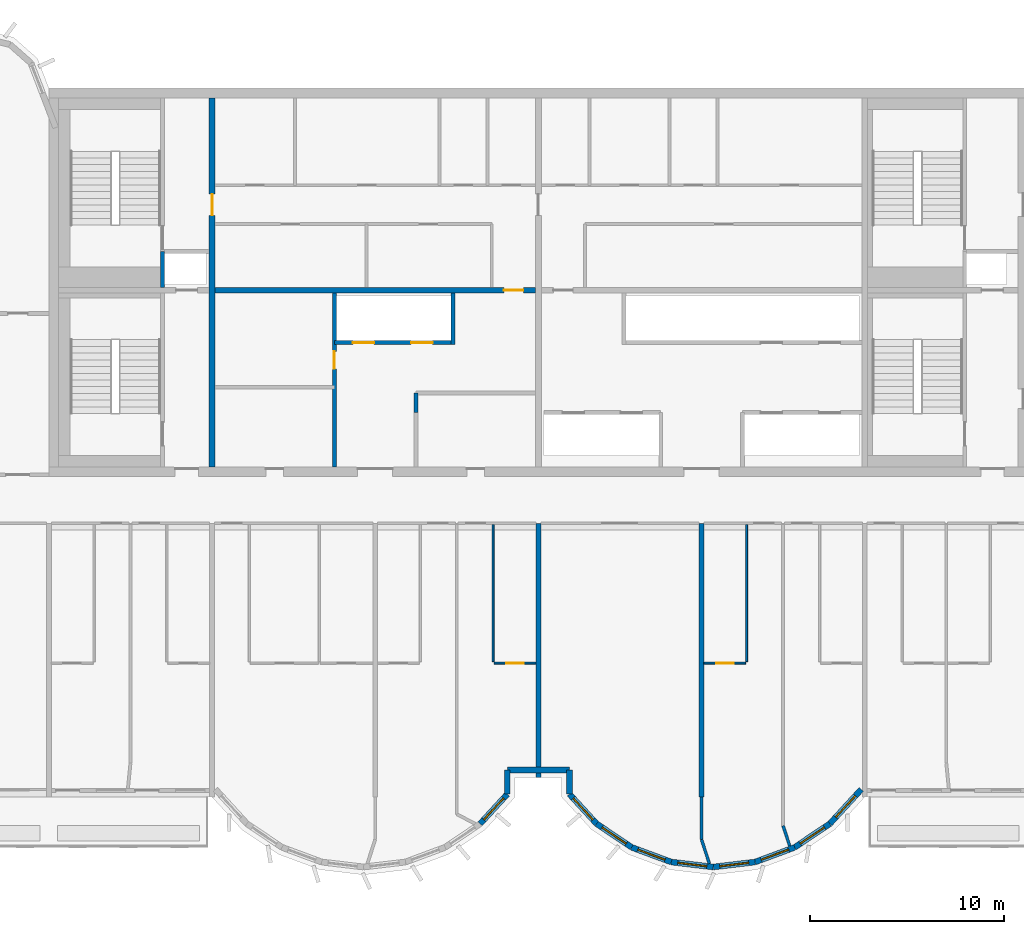
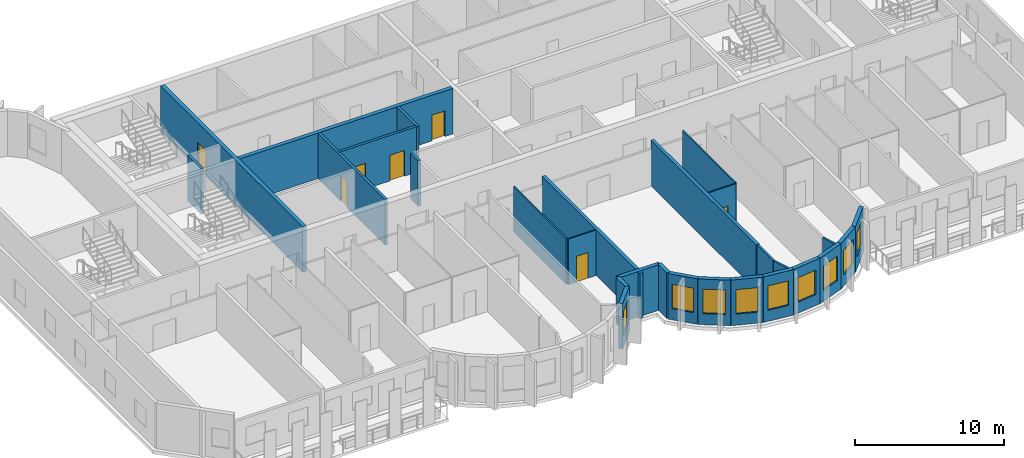
# One storey, part 4 of 11: 28 walls, 9 windows, 7 doors, 16 openings.
"""IFC4 building model written with IfcOpenShell, lengths in metres."""

from ifc_helpers import new_model, si_unit, direction, frame, frame_2d, origin, place, context, subcontext, project, spatial, rectangle, extrude, source, transform, mapped, material, layer, layer_set, type_object, element, fill, save


model = new_model("IFC4")

# Units and contexts
model_context = context("Model", 3, precision=1e-05, world=origin(), true_north=direction((0.0, 1.0)))
body_context = subcontext(model_context, "Body", "Model", "MODEL_VIEW")
ifc_project = project(units=[si_unit("LENGTHUNIT", "METRE"), si_unit("AREAUNIT", "SQUARE_METRE"), si_unit("VOLUMEUNIT", "CUBIC_METRE"), si_unit("PLANEANGLEUNIT", "RADIAN"), si_unit("MASSUNIT", "GRAM", prefix="KILO")], contexts=[model_context])

# Site, building, storey
site_placement = place(None, origin())
site = spatial("IfcSite", under=ifc_project, at=site_placement, CompositionType="ELEMENT")
building_placement = place(site_placement, origin())
building = spatial("IfcBuilding", under=site, at=building_placement, Name="Vanashikhar Sky Hotel", CompositionType="ELEMENT")
storey_placement = place(building_placement, frame((0.0, 0.0, 305.699951171875)))
storey = spatial("IfcBuildingStorey", under=building, at=storey_placement, Name="L73", CompositionType="ELEMENT", Elevation=305.699951171875)

# Wall, opening, door
ifc_material_1 = material(Name="Concrete M50", Category="concrete")
ifc_layer_1 = layer(ifc_material_1, 0.300048828125)
ifc_layer_set_1 = layer_set([ifc_layer_1], Name="RC core inner wall 300 Concrete M50")
wall_type_1 = type_object("IfcWallType", Name="RC core inner wall 300 Concrete M50", PredefinedType="SHEAR", material=ifc_layer_set_1)
shared_shape_1 = source(origin(), body_context, "Body", "SweptSolid", [
    extrude(rectangle(XDim=19.0, YDim=0.300048828125, at=frame_2d((9.5, 0.0))), origin(), (0.0, 0.0, 1.0), 3.719970703125),
])
wall_1_placement = place(storey_placement, frame((33.60009765625, 22.5, 0.0), z_axis=(0.0, 0.0, 1.0), x_axis=(0.0, 1.0, 0.0)))
wall_1 = element("IfcWall", 1, at=wall_1_placement, inside=storey, type_object=wall_type_1, Name="KW-L73-KX1", PredefinedType="SHEAR", context=body_context, shape_type="MappedRepresentation", body=[
    mapped(shared_shape_1, transform((0.0, 0.0, 0.0), scale=1.0)),
])
shared_shape_2 = source(origin(), body_context, "Body", "SweptSolid", [
    extrude(rectangle(XDim=1.10009765625, YDim=2.10009765625, at=frame_2d((0.550048828125, 1.050048828125))), frame((0.0, 0.16015625, 0.0), z_axis=(0.0, -1.0, 0.0), x_axis=(1.0, 0.0, 0.0)), (0.0, 0.0, 1.0), 0.320068359375),
])
opening_1_placement = place(wall_1_placement, frame((12.949951171875, 0.0, 0.0)))
opening_1 = element("IfcOpeningElement", 2, at=opening_1_placement, cuts=wall_1, Name="Opening DC-4-C", PredefinedType="OPENING", context=body_context, shape_type="MappedRepresentation", body=[
    mapped(shared_shape_2, transform((0.0, 0.0, 0.0), scale=1.0)),
])
ifc_material_2 = material(Name="Steel", Category="steel")
door_type_1 = type_object("IfcDoorType", Name="Service door 1100 FD60", OperationType="NOTDEFINED", PredefinedType="DOOR", material=ifc_material_2)
shared_shape_3 = source(origin(), body_context, "Body", "SweptSolid", [
    extrude(rectangle(XDim=1.10009765625, YDim=2.10009765625, at=frame_2d((0.550048828125, 1.050048828125))), frame((0.0, 0.02490234375, 0.0), z_axis=(0.0, -1.0, 0.0), x_axis=(1.0, 0.0, 0.0)), (0.0, 0.0, 1.0), 0.050048828125),
])
door_1_placement = place(opening_1_placement, origin())
door_1 = element("IfcDoor", 3, at=door_1_placement, inside=storey, type_object=door_type_1, Name="Service door 1100 FD60", OperationType="SINGLE_SWING_LEFT", OverallHeight=2.10009765625, OverallWidth=1.10009765625, PredefinedType="DOOR", context=body_context, shape_type="MappedRepresentation", body=[
    mapped(shared_shape_3, transform((0.0, 0.0, 0.0), scale=1.0)),
])
fill(opening_1, door_1)

shared_shape_4 = source(origin(), body_context, "Body", "SweptSolid", [
    extrude(rectangle(XDim=16.5, YDim=0.300048828125, at=frame_2d((8.25, 0.0))), origin(), (0.0, 0.0, 1.0), 3.719970703125),
])
wall_2_placement = place(storey_placement, frame((33.75, 31.60009765625, 0.0), z_axis=(0.0, 0.0, 1.0), x_axis=(1.0, 0.0, 0.0)))
wall_2 = element("IfcWall", 4, at=wall_2_placement, inside=storey, type_object=wall_type_1, Name="KW-L73-KY2", PredefinedType="SHEAR", context=body_context, shape_type="MappedRepresentation", body=[
    mapped(shared_shape_4, transform((0.0, 0.0, 0.0), scale=1.0)),
])
shared_shape_5 = source(origin(), body_context, "Body", "SweptSolid", [
    extrude(rectangle(XDim=1.0, YDim=2.10009765625, at=frame_2d((0.5, 1.050048828125))), frame((0.0, 0.16015625, 0.0), z_axis=(0.0, -1.0, 0.0), x_axis=(1.0, 0.0, 0.0)), (0.0, 0.0, 1.0), 0.320068359375),
])
opening_2_placement = place(wall_2_placement, frame((14.875, 0.0, 0.0)))
opening_2 = element("IfcOpeningElement", 5, at=opening_2_placement, cuts=wall_2, Name="Opening DC-4", PredefinedType="OPENING", context=body_context, shape_type="MappedRepresentation", body=[
    mapped(shared_shape_5, transform((0.0, 0.0, 0.0), scale=1.0)),
])
door_type_2 = type_object("IfcDoorType", Name="Service door 1000 FD60", OperationType="NOTDEFINED", PredefinedType="DOOR", material=ifc_material_2)
shared_shape_6 = source(origin(), body_context, "Body", "SweptSolid", [
    extrude(rectangle(XDim=1.0, YDim=2.10009765625, at=frame_2d((0.5, 1.050048828125))), frame((0.0, 0.02490234375, 0.0), z_axis=(0.0, -1.0, 0.0), x_axis=(1.0, 0.0, 0.0)), (0.0, 0.0, 1.0), 0.050048828125),
])
door_2_placement = place(opening_2_placement, origin())
door_2 = element("IfcDoor", 6, at=door_2_placement, inside=storey, type_object=door_type_2, Name="Service door 1000 FD60", OperationType="SINGLE_SWING_LEFT", OverallHeight=2.10009765625, OverallWidth=1.0, PredefinedType="DOOR", context=body_context, shape_type="MappedRepresentation", body=[
    mapped(shared_shape_6, transform((0.0, 0.0, 0.0), scale=1.0)),
])
fill(opening_2, door_2)

# Walls
ifc_layer_2 = layer(ifc_material_1, 0.25)
ifc_layer_set_2 = layer_set([ifc_layer_2], Name="RC shear wall 250 Concrete M50")
wall_type_2 = type_object("IfcWallType", Name="RC shear wall 250 Concrete M50", PredefinedType="SHEAR", material=ifc_layer_set_2)
shared_shape_7 = source(origin(), body_context, "Body", "SweptSolid", [
    extrude(rectangle(XDim=14.10009765625, YDim=0.25, at=frame_2d((7.050048828125, 0.0))), origin(), (0.0, 0.0, 1.0), 3.719970703125),
])
wall_3_placement = place(storey_placement, frame((58.800048828125, 5.5, 0.0), z_axis=(0.0, 0.0, 1.0), x_axis=(0.0, 1.0, 0.0)))
element("IfcWall", 7, at=wall_3_placement, inside=storey, type_object=wall_type_2, Name="CW-L73-XW08-1", PredefinedType="SHEAR", context=body_context, shape_type="MappedRepresentation", body=[
    mapped(shared_shape_7, transform((0.0, 0.0, 0.0), scale=1.0)),
])
shared_shape_8 = source(origin(), body_context, "Body", "SweptSolid", [
    extrude(rectangle(XDim=13.10009765625, YDim=0.25, at=frame_2d((6.550048828125, 0.0))), origin(), (0.0, 0.0, 1.0), 3.719970703125),
])
wall_4_placement = place(storey_placement, frame((50.39990234375, 6.5, 0.0), z_axis=(0.0, 0.0, 1.0), x_axis=(0.0, 1.0, 0.0)))
element("IfcWall", 8, at=wall_4_placement, inside=storey, type_object=wall_type_2, Name="CW-L73-XW07-1", PredefinedType="SHEAR", context=body_context, shape_type="MappedRepresentation", body=[
    mapped(shared_shape_8, transform((0.0, 0.0, 0.0), scale=1.0)),
])

# Wall, opening, window
ifc_layer_3 = layer(ifc_material_1, 0.300048828125)
ifc_layer_set_3 = layer_set([ifc_layer_3], Name="Lobe wall 300")
wall_type_3 = type_object("IfcWallType", Name="Lobe wall 300", PredefinedType="SOLIDWALL", material=ifc_layer_set_3)
shared_shape_9 = source(origin(), body_context, "Body", "SweptSolid", [
    extrude(rectangle(XDim=2.398193359375, YDim=0.300048828125, at=frame_2d((1.19921875, 0.0))), origin(), (0.0, 0.0, 1.0), 3.719970703125),
])
wall_5_placement = place(storey_placement, frame((65.404296875, 4.13134765625, 0.0), z_axis=(0.0, 0.0, 1.0), x_axis=(0.675374189419, 0.737475222815, 0.0)))
wall_5 = element("IfcWall", 9, at=wall_5_placement, inside=storey, type_object=wall_type_3, Name="Lobe wall", PredefinedType="SOLIDWALL", context=body_context, shape_type="MappedRepresentation", body=[
    mapped(shared_shape_9, transform((0.0, 0.0, 0.0), scale=1.0)),
])
shared_shape_10 = source(origin(), body_context, "Body", "SweptSolid", [
    extrude(rectangle(XDim=1.5, YDim=2.0, at=frame_2d((0.75, 1.0))), frame((0.0, 0.16015625, 0.0), z_axis=(0.0, -1.0, 0.0), x_axis=(1.0, 0.0, 0.0)), (0.0, 0.0, 1.0), 0.320068359375),
])
opening_3_placement = place(wall_5_placement, frame((0.44921875, 0.0, 0.89990234375)))
opening_3 = element("IfcOpeningElement", 10, at=opening_3_placement, cuts=wall_5, Name="Opening WN-2", PredefinedType="OPENING", context=body_context, shape_type="MappedRepresentation", body=[
    mapped(shared_shape_10, transform((0.0, 0.0, 0.0), scale=1.0)),
])
ifc_material_3 = material(Name="Glass", Category="glass")
window_type = type_object("IfcWindowType", Name="Lobe window 1500 x 2000", PartitioningType="SINGLE_PANEL", PredefinedType="WINDOW", material=ifc_material_3)
shared_shape_11 = source(origin(), body_context, "Body", "SweptSolid", [
    extrude(rectangle(XDim=1.5, YDim=2.0, at=frame_2d((0.75, 1.0))), frame((0.0, 0.030029296875, 0.0), z_axis=(0.0, -1.0, 0.0), x_axis=(1.0, 0.0, 0.0)), (0.0, 0.0, 1.0), 0.06005859375),
])
window_1_placement = place(opening_3_placement, origin())
window_1 = element("IfcWindow", 11, at=window_1_placement, inside=storey, type_object=window_type, Name="Window WN-2", OverallHeight=2.0, OverallWidth=1.5, PartitioningType="SINGLE_PANEL", PredefinedType="WINDOW", context=body_context, shape_type="MappedRepresentation", body=[
    mapped(shared_shape_11, transform((0.0, 0.0, 0.0), scale=1.0)),
])
fill(opening_3, window_1)

shared_shape_12 = source(origin(), body_context, "Body", "SweptSolid", [
    extrude(rectangle(XDim=2.17578125, YDim=0.300048828125, at=frame_2d((1.087890625, 0.0))), origin(), (0.0, 0.0, 1.0), 3.719970703125),
])
wall_6_placement = place(storey_placement, frame((53.395751953125, 4.13134765625, 0.0), z_axis=(0.0, 0.0, 1.0), x_axis=(0.829590746428, -0.558371913192, 0.0)))
wall_6 = element("IfcWall", 12, at=wall_6_placement, inside=storey, type_object=wall_type_3, Name="Lobe wall", PredefinedType="SOLIDWALL", context=body_context, shape_type="MappedRepresentation", body=[
    mapped(shared_shape_12, transform((0.0, 0.0, 0.0), scale=1.0)),
])
opening_4_placement = place(wall_6_placement, frame((0.337890625, 0.0, 0.89990234375)))
opening_4 = element("IfcOpeningElement", 13, at=opening_4_placement, cuts=wall_6, Name="Opening WN-2", PredefinedType="OPENING", context=body_context, shape_type="MappedRepresentation", body=[
    mapped(shared_shape_10, transform((0.0, 0.0, 0.0), scale=1.0)),
])
window_2_placement = place(opening_4_placement, origin())
window_2 = element("IfcWindow", 14, at=window_2_placement, inside=storey, type_object=window_type, Name="Window WN-2", OverallHeight=2.0, OverallWidth=1.5, PartitioningType="SINGLE_PANEL", PredefinedType="WINDOW", context=body_context, shape_type="MappedRepresentation", body=[
    mapped(shared_shape_11, transform((0.0, 0.0, 0.0), scale=1.0)),
])
fill(opening_4, window_2)

wall_7_placement = place(storey_placement, frame((55.20068359375, 2.91650390625, 0.0), z_axis=(0.0, 0.0, 1.0), x_axis=(0.93754555999, -0.347862505801, 0.0)))
wall_7 = element("IfcWall", 15, at=wall_7_placement, inside=storey, type_object=wall_type_3, Name="Lobe wall", PredefinedType="SOLIDWALL", context=body_context, shape_type="MappedRepresentation", body=[
    mapped(shared_shape_12, transform((0.0, 0.0, 0.0), scale=1.0)),
])
opening_5_placement = place(wall_7_placement, frame((0.337890625, 0.0, 0.89990234375)))
opening_5 = element("IfcOpeningElement", 16, at=opening_5_placement, cuts=wall_7, Name="Opening WN-2", PredefinedType="OPENING", context=body_context, shape_type="MappedRepresentation", body=[
    mapped(shared_shape_10, transform((0.0, 0.0, 0.0), scale=1.0)),
])
window_3_placement = place(opening_5_placement, origin())
window_3 = element("IfcWindow", 17, at=window_3_placement, inside=storey, type_object=window_type, Name="Window WN-2", OverallHeight=2.0, OverallWidth=1.5, PartitioningType="SINGLE_PANEL", PredefinedType="WINDOW", context=body_context, shape_type="MappedRepresentation", body=[
    mapped(shared_shape_11, transform((0.0, 0.0, 0.0), scale=1.0)),
])
fill(opening_5, window_3)

wall_8_placement = place(storey_placement, frame((63.59912109375, 2.91650390625, 0.0), z_axis=(0.0, 0.0, 1.0), x_axis=(0.829625727223, 0.558319937607, 0.0)))
wall_8 = element("IfcWall", 18, at=wall_8_placement, inside=storey, type_object=wall_type_3, Name="Lobe wall", PredefinedType="SOLIDWALL", context=body_context, shape_type="MappedRepresentation", body=[
    mapped(shared_shape_12, transform((0.0, 0.0, 0.0), scale=1.0)),
])
opening_6_placement = place(wall_8_placement, frame((0.337890625, 0.0, 0.89990234375)))
opening_6 = element("IfcOpeningElement", 19, at=opening_6_placement, cuts=wall_8, Name="Opening WN-2", PredefinedType="OPENING", context=body_context, shape_type="MappedRepresentation", body=[
    mapped(shared_shape_10, transform((0.0, 0.0, 0.0), scale=1.0)),
])
window_4_placement = place(opening_6_placement, origin())
window_4 = element("IfcWindow", 20, at=window_4_placement, inside=storey, type_object=window_type, Name="Window WN-2", OverallHeight=2.0, OverallWidth=1.5, PartitioningType="SINGLE_PANEL", PredefinedType="WINDOW", context=body_context, shape_type="MappedRepresentation", body=[
    mapped(shared_shape_11, transform((0.0, 0.0, 0.0), scale=1.0)),
])
fill(opening_6, window_4)

shared_shape_13 = source(origin(), body_context, "Body", "SweptSolid", [
    extrude(rectangle(XDim=2.174560546875, YDim=0.300048828125, at=frame_2d((1.08740234375, 0.0))), origin(), (0.0, 0.0, 1.0), 3.719970703125),
])
wall_9_placement = place(storey_placement, frame((57.240478515625, 2.15966796875, 0.0), z_axis=(0.0, 0.0, 1.0), x_axis=(0.993001132889, -0.118104826659, 0.0)))
wall_9 = element("IfcWall", 21, at=wall_9_placement, inside=storey, type_object=wall_type_3, Name="Lobe wall", PredefinedType="SOLIDWALL", context=body_context, shape_type="MappedRepresentation", body=[
    mapped(shared_shape_13, transform((0.0, 0.0, 0.0), scale=1.0)),
])
opening_7_placement = place(wall_9_placement, frame((0.33740234375, 0.0, 0.89990234375)))
opening_7 = element("IfcOpeningElement", 22, at=opening_7_placement, cuts=wall_9, Name="Opening WN-2", PredefinedType="OPENING", context=body_context, shape_type="MappedRepresentation", body=[
    mapped(shared_shape_10, transform((0.0, 0.0, 0.0), scale=1.0)),
])
window_5_placement = place(opening_7_placement, origin())
window_5 = element("IfcWindow", 23, at=window_5_placement, inside=storey, type_object=window_type, Name="Window WN-2", OverallHeight=2.0, OverallWidth=1.5, PartitioningType="SINGLE_PANEL", PredefinedType="WINDOW", context=body_context, shape_type="MappedRepresentation", body=[
    mapped(shared_shape_11, transform((0.0, 0.0, 0.0), scale=1.0)),
])
fill(opening_7, window_5)

shared_shape_14 = source(origin(), body_context, "Body", "SweptSolid", [
    extrude(rectangle(XDim=2.1748046875, YDim=0.300048828125, at=frame_2d((1.08740234375, 0.0))), origin(), (0.0, 0.0, 1.0), 3.719970703125),
])
wall_10_placement = place(storey_placement, frame((59.39990234375, 1.90283203125, 0.0), z_axis=(0.0, 0.0, 1.0), x_axis=(0.993002698611, 0.118091661648, 0.0)))
wall_10 = element("IfcWall", 24, at=wall_10_placement, inside=storey, type_object=wall_type_3, Name="Lobe wall", PredefinedType="SOLIDWALL", context=body_context, shape_type="MappedRepresentation", body=[
    mapped(shared_shape_14, transform((0.0, 0.0, 0.0), scale=1.0)),
])
opening_8_placement = place(wall_10_placement, frame((0.33740234375, 0.0, 0.89990234375)))
opening_8 = element("IfcOpeningElement", 25, at=opening_8_placement, cuts=wall_10, Name="Opening WN-2", PredefinedType="OPENING", context=body_context, shape_type="MappedRepresentation", body=[
    mapped(shared_shape_10, transform((0.0, 0.0, 0.0), scale=1.0)),
])
window_6_placement = place(opening_8_placement, origin())
window_6 = element("IfcWindow", 26, at=window_6_placement, inside=storey, type_object=window_type, Name="Window WN-2", OverallHeight=2.0, OverallWidth=1.5, PartitioningType="SINGLE_PANEL", PredefinedType="WINDOW", context=body_context, shape_type="MappedRepresentation", body=[
    mapped(shared_shape_11, transform((0.0, 0.0, 0.0), scale=1.0)),
])
fill(opening_8, window_6)

shared_shape_15 = source(origin(), body_context, "Body", "SweptSolid", [
    extrude(rectangle(XDim=2.175537109375, YDim=0.300048828125, at=frame_2d((1.087890625, 0.0))), origin(), (0.0, 0.0, 1.0), 3.719970703125),
])
wall_11_placement = place(storey_placement, frame((61.5595703125, 2.15966796875, 0.0), z_axis=(0.0, 0.0, 1.0), x_axis=(0.937531979054, 0.347899106424, 0.0)))
wall_11 = element("IfcWall", 27, at=wall_11_placement, inside=storey, type_object=wall_type_3, Name="Lobe wall", PredefinedType="SOLIDWALL", context=body_context, shape_type="MappedRepresentation", body=[
    mapped(shared_shape_15, transform((0.0, 0.0, 0.0), scale=1.0)),
])
opening_9_placement = place(wall_11_placement, frame((0.337890625, 0.0, 0.89990234375)))
opening_9 = element("IfcOpeningElement", 28, at=opening_9_placement, cuts=wall_11, Name="Opening WN-2", PredefinedType="OPENING", context=body_context, shape_type="MappedRepresentation", body=[
    mapped(shared_shape_10, transform((0.0, 0.0, 0.0), scale=1.0)),
])
window_7_placement = place(opening_9_placement, origin())
window_7 = element("IfcWindow", 29, at=window_7_placement, inside=storey, type_object=window_type, Name="Window WN-2", OverallHeight=2.0, OverallWidth=1.5, PartitioningType="SINGLE_PANEL", PredefinedType="WINDOW", context=body_context, shape_type="MappedRepresentation", body=[
    mapped(shared_shape_11, transform((0.0, 0.0, 0.0), scale=1.0)),
])
fill(opening_9, window_7)

shared_shape_16 = source(origin(), body_context, "Body", "SweptSolid", [
    extrude(rectangle(XDim=2.066650390625, YDim=0.300048828125, at=frame_2d((1.033203125, 0.0))), origin(), (0.0, 0.0, 1.0), 3.719970703125),
])
wall_12_placement = place(storey_placement, frame((47.404296875, 4.13134765625, 0.0), z_axis=(0.0, 0.0, 1.0), x_axis=(0.675355439877, 0.737492393065, 0.0)))
wall_12 = element("IfcWall", 30, at=wall_12_placement, inside=storey, type_object=wall_type_3, Name="Lobe wall", PredefinedType="SOLIDWALL", context=body_context, shape_type="MappedRepresentation", body=[
    mapped(shared_shape_16, transform((0.0, 0.0, 0.0), scale=1.0)),
])
opening_10_placement = place(wall_12_placement, frame((0.283447265625, 0.0, 0.89990234375)))
opening_10 = element("IfcOpeningElement", 31, at=opening_10_placement, cuts=wall_12, Name="Opening WN-2", PredefinedType="OPENING", context=body_context, shape_type="MappedRepresentation", body=[
    mapped(shared_shape_10, transform((0.0, 0.0, 0.0), scale=1.0)),
])
window_8_placement = place(opening_10_placement, origin())
window_8 = element("IfcWindow", 32, at=window_8_placement, inside=storey, type_object=window_type, Name="Window WN-2", OverallHeight=2.0, OverallWidth=1.5, PartitioningType="SINGLE_PANEL", PredefinedType="WINDOW", context=body_context, shape_type="MappedRepresentation", body=[
    mapped(shared_shape_11, transform((0.0, 0.0, 0.0), scale=1.0)),
])
fill(opening_10, window_8)

wall_13_placement = place(storey_placement, frame((52.0, 5.655517578125, 0.0), z_axis=(0.0, 0.0, 1.0), x_axis=(0.675355439877, -0.737492393065, 0.0)))
wall_13 = element("IfcWall", 33, at=wall_13_placement, inside=storey, type_object=wall_type_3, Name="Lobe wall", PredefinedType="SOLIDWALL", context=body_context, shape_type="MappedRepresentation", body=[
    mapped(shared_shape_16, transform((0.0, 0.0, 0.0), scale=1.0)),
])
opening_11_placement = place(wall_13_placement, frame((0.283447265625, 0.0, 0.89990234375)))
opening_11 = element("IfcOpeningElement", 34, at=opening_11_placement, cuts=wall_13, Name="Opening WN-2", PredefinedType="OPENING", context=body_context, shape_type="MappedRepresentation", body=[
    mapped(shared_shape_10, transform((0.0, 0.0, 0.0), scale=1.0)),
])
window_9_placement = place(opening_11_placement, origin())
window_9 = element("IfcWindow", 35, at=window_9_placement, inside=storey, type_object=window_type, Name="Window WN-2", OverallHeight=2.0, OverallWidth=1.5, PartitioningType="SINGLE_PANEL", PredefinedType="WINDOW", context=body_context, shape_type="MappedRepresentation", body=[
    mapped(shared_shape_11, transform((0.0, 0.0, 0.0), scale=1.0)),
])
fill(opening_11, window_9)

# Walls
shared_shape_17 = source(origin(), body_context, "Body", "SweptSolid", [
    extrude(rectangle(XDim=1.244384765625, YDim=0.300048828125, at=frame_2d((0.6220703125, 0.0))), origin(), (0.0, 0.0, 1.0), 3.719970703125),
])
for number, where, z_axis, x_axis, name in (
    (36, (48.800048828125, 5.655517578125, 0.0), (0.0, 0.0, 1.0), (0.0, 1.0, 0.0), "Groove wall"),
    (37, (52.0, 6.89990234375, 0.0), (0.0, 0.0, 1.0), (0.0, -1.0, 0.0), "Groove wall"),
):
    element("IfcWall", number, at=place(storey_placement, frame(where, z_axis=z_axis, x_axis=x_axis)), inside=storey, type_object=wall_type_3, Name=name, PredefinedType="SOLIDWALL", context=body_context, shape_type="MappedRepresentation", body=[
        mapped(shared_shape_17, transform((0.0, 0.0, 0.0), scale=1.0)),
    ])
shared_shape_18 = source(origin(), body_context, "Body", "SweptSolid", [
    extrude(rectangle(XDim=3.199951171875, YDim=0.300048828125, at=frame_2d((1.60009765625, 0.0))), origin(), (0.0, 0.0, 1.0), 3.719970703125),
])
wall_14_placement = place(storey_placement, frame((48.800048828125, 6.89990234375, 0.0), z_axis=(0.0, 0.0, 1.0), x_axis=(1.0, 0.0, 0.0)))
element("IfcWall", 38, at=wall_14_placement, inside=storey, type_object=wall_type_3, Name="Groove wall", PredefinedType="SOLIDWALL", context=body_context, shape_type="MappedRepresentation", body=[
    mapped(shared_shape_18, transform((0.0, 0.0, 0.0), scale=1.0)),
])

# Wall, openings, doors
ifc_material_4 = material(Name="Concrete M40", Category="concrete")
ifc_layer_4 = layer(ifc_material_4, 0.199951171875)
ifc_layer_set_4 = layer_set([ifc_layer_4], Name="Shaft wall 200")
wall_type_4 = type_object("IfcWallType", Name="Shaft wall 200", PredefinedType="SOLIDWALL", material=ifc_layer_set_4)
shared_shape_19 = source(origin(), body_context, "Body", "SweptSolid", [
    extrude(rectangle(XDim=6.0, YDim=0.199951171875, at=frame_2d((3.0, 0.0))), origin(), (0.0, 0.0, 1.0), 3.719970703125),
])
wall_15_placement = place(storey_placement, frame((39.89990234375, 28.89990234375, 0.0), z_axis=(0.0, 0.0, 1.0), x_axis=(1.0, 0.0, 0.0)))
wall_15 = element("IfcWall", 39, at=wall_15_placement, inside=storey, type_object=wall_type_4, Name="Shaft wall 200", PredefinedType="SOLIDWALL", context=body_context, shape_type="MappedRepresentation", body=[
    mapped(shared_shape_19, transform((0.0, 0.0, 0.0), scale=1.0)),
])
shared_shape_20 = source(origin(), body_context, "Body", "SweptSolid", [
    extrude(rectangle(XDim=1.10009765625, YDim=2.10009765625, at=frame_2d((0.550048828125, 1.050048828125))), frame((0.0, 0.10986328125, 0.0), z_axis=(0.0, -1.0, 0.0), x_axis=(1.0, 0.0, 0.0)), (0.0, 0.0, 1.0), 0.219970703125),
])
opening_12_placement = place(wall_15_placement, frame((0.949951171875, 0.0, 0.0)))
opening_12 = element("IfcOpeningElement", 40, at=opening_12_placement, cuts=wall_15, Name="Opening LD", PredefinedType="OPENING", context=body_context, shape_type="MappedRepresentation", body=[
    mapped(shared_shape_20, transform((0.0, 0.0, 0.0), scale=1.0)),
])
opening_13_placement = place(wall_15_placement, frame((3.949951171875, 0.0, 0.0)))
opening_13 = element("IfcOpeningElement", 41, at=opening_13_placement, cuts=wall_15, Name="Opening LD", PredefinedType="OPENING", context=body_context, shape_type="MappedRepresentation", body=[
    mapped(shared_shape_20, transform((0.0, 0.0, 0.0), scale=1.0)),
])
ifc_material_5 = material(Name="Stainless steel", Category="steel")
door_type_3 = type_object("IfcDoorType", Name="Lift landing door 1100", OperationType="NOTDEFINED", PredefinedType="DOOR", material=ifc_material_5)
door_3_placement = place(opening_12_placement, origin())
door_3 = element("IfcDoor", 42, at=door_3_placement, inside=storey, type_object=door_type_3, Name="Lift landing door 1100", OperationType="SLIDING_TO_LEFT", OverallHeight=2.10009765625, OverallWidth=1.10009765625, PredefinedType="DOOR", context=body_context, shape_type="MappedRepresentation", body=[
    mapped(shared_shape_3, transform((0.0, 0.0, 0.0), scale=1.0)),
])
fill(opening_12, door_3)
door_4_placement = place(opening_13_placement, origin())
door_4 = element("IfcDoor", 43, at=door_4_placement, inside=storey, type_object=door_type_3, Name="Lift landing door 1100", OperationType="SLIDING_TO_RIGHT", OverallHeight=2.10009765625, OverallWidth=1.10009765625, PredefinedType="DOOR", context=body_context, shape_type="MappedRepresentation", body=[
    mapped(shared_shape_3, transform((0.0, 0.0, 0.0), scale=1.0)),
])
fill(opening_13, door_4)

# Wall, opening, door
ifc_material_6 = material(Name="Gypsum board partition")
ifc_layer_5 = layer(ifc_material_6, 0.14990234375)
ifc_layer_set_5 = layer_set([ifc_layer_5], Name="Service partition 150")
wall_type_5 = type_object("IfcWallType", Name="Service partition 150", PredefinedType="PARTITIONING", material=ifc_layer_set_5)
shared_shape_21 = source(origin(), body_context, "Body", "SweptSolid", [
    extrude(rectangle(XDim=8.949951171875, YDim=0.199951171875, at=frame_2d((4.47509765625, 0.0))), origin(), (0.0, 0.0, 1.0), 3.719970703125),
])
wall_16_placement = place(storey_placement, frame((39.89990234375, 22.5, 0.0), z_axis=(0.0, 0.0, 1.0), x_axis=(0.0, 1.0, 0.0)))
wall_16 = element("IfcWall", 44, at=wall_16_placement, inside=storey, type_object=wall_type_5, Name="Service partition 150", PredefinedType="PARTITIONING", context=body_context, shape_type="MappedRepresentation", body=[
    mapped(shared_shape_21, transform((0.0, 0.0, 0.0), scale=1.0)),
])
shared_shape_22 = source(origin(), body_context, "Body", "SweptSolid", [
    extrude(rectangle(XDim=0.89990234375, YDim=2.10009765625, at=frame_2d((0.449951171875, 1.050048828125))), frame((0.0, 0.10986328125, 0.0), z_axis=(0.0, -1.0, 0.0), x_axis=(1.0, 0.0, 0.0)), (0.0, 0.0, 1.0), 0.219970703125),
])
opening_14_placement = place(wall_16_placement, frame((5.050048828125, 0.0, 0.0)))
opening_14 = element("IfcOpeningElement", 45, at=opening_14_placement, cuts=wall_16, Name="Opening DC-4-A", PredefinedType="OPENING", context=body_context, shape_type="MappedRepresentation", body=[
    mapped(shared_shape_22, transform((0.0, 0.0, 0.0), scale=1.0)),
])
door_type_4 = type_object("IfcDoorType", Name="Service door 900 FD60", OperationType="NOTDEFINED", PredefinedType="DOOR", material=ifc_material_2)
shared_shape_23 = source(origin(), body_context, "Body", "SweptSolid", [
    extrude(rectangle(XDim=0.89990234375, YDim=2.10009765625, at=frame_2d((0.449951171875, 1.050048828125))), frame((0.0, 0.02490234375, 0.0), z_axis=(0.0, -1.0, 0.0), x_axis=(1.0, 0.0, 0.0)), (0.0, 0.0, 1.0), 0.050048828125),
])
door_5_placement = place(opening_14_placement, origin())
door_5 = element("IfcDoor", 46, at=door_5_placement, inside=storey, type_object=door_type_4, Name="Service door 900 FD60", OperationType="SINGLE_SWING_LEFT", OverallHeight=2.10009765625, OverallWidth=0.89990234375, PredefinedType="DOOR", context=body_context, shape_type="MappedRepresentation", body=[
    mapped(shared_shape_23, transform((0.0, 0.0, 0.0), scale=1.0)),
])
fill(opening_14, door_5)

# Walls
shared_shape_24 = source(origin(), body_context, "Body", "SweptSolid", [
    extrude(rectangle(XDim=2.64990234375, YDim=0.199951171875, at=frame_2d((1.324951171875, 0.0))), origin(), (0.0, 0.0, 1.0), 3.719970703125),
])
wall_17_placement = place(storey_placement, frame((46.0, 28.800048828125, 0.0), z_axis=(0.0, 0.0, 1.0), x_axis=(0.0, 1.0, 0.0)))
element("IfcWall", 47, at=wall_17_placement, inside=storey, type_object=wall_type_4, Name="Shaft wall 200", PredefinedType="SOLIDWALL", context=body_context, shape_type="MappedRepresentation", body=[
    mapped(shared_shape_24, transform((0.0, 0.0, 0.0), scale=1.0)),
])
shared_shape_25 = source(origin(), body_context, "Body", "SweptSolid", [
    extrude(rectangle(XDim=1.0, YDim=0.199951171875, at=frame_2d((0.5, 0.0))), origin(), (0.0, 0.0, 1.0), 3.719970703125),
])
wall_18_placement = place(storey_placement, frame((44.10009765625, 25.300048828125, 0.0), z_axis=(0.0, 0.0, 1.0), x_axis=(0.0, 1.0, 0.0)))
element("IfcWall", 48, at=wall_18_placement, inside=storey, type_object=wall_type_5, Name="Service partition 150", PredefinedType="PARTITIONING", context=body_context, shape_type="MappedRepresentation", body=[
    mapped(shared_shape_25, transform((0.0, 0.0, 0.0), scale=1.0)),
])
shared_shape_26 = source(origin(), body_context, "Body", "SweptSolid", [
    extrude(rectangle(XDim=1.85009765625, YDim=0.199951171875, at=frame_2d((0.925048828125, 0.0))), origin(), (0.0, 0.0, 1.0), 3.719970703125),
])
wall_19_placement = place(storey_placement, frame((31.050048828125, 31.75, 0.0), z_axis=(0.0, 0.0, 1.0), x_axis=(0.0, 1.0, 0.0)))
element("IfcWall", 49, at=wall_19_placement, inside=storey, type_object=wall_type_4, Name="Shaft wall 200", PredefinedType="SOLIDWALL", context=body_context, shape_type="MappedRepresentation", body=[
    mapped(shared_shape_26, transform((0.0, 0.0, 0.0), scale=1.0)),
])
ifc_material_7 = material(Name="Gypsum plasterboard partition")
ifc_layer_6 = layer(ifc_material_7, 0.14990234375)
ifc_layer_set_6 = layer_set([ifc_layer_6], Name="Corridor and demising partition 150")
wall_type_6 = type_object("IfcWallType", Name="Corridor and demising partition 150", PredefinedType="PARTITIONING", material=ifc_layer_set_6)
shared_shape_27 = source(origin(), body_context, "Body", "SweptSolid", [
    extrude(rectangle(XDim=2.177978515625, YDim=0.14990234375, at=frame_2d((1.0888671875, 0.0))), origin(), (0.0, 0.0, 1.0), 3.719970703125),
])
wall_20_placement = place(storey_placement, frame((58.800048828125, 3.322021484375, 0.0), z_axis=(0.0, 0.0, 1.0), x_axis=(0.0, 1.0, 0.0)))
element("IfcWall", 50, at=wall_20_placement, inside=storey, type_object=wall_type_6, Name="W-L73-PW042", PredefinedType="PARTITIONING", context=body_context, shape_type="MappedRepresentation", body=[
    mapped(shared_shape_27, transform((0.0, 0.0, 0.0), scale=1.0)),
])
shared_shape_28 = source(origin(), body_context, "Body", "SweptSolid", [
    extrude(rectangle(XDim=1.308349609375, YDim=0.14990234375, at=frame_2d((0.654296875, 0.0))), origin(), (0.0, 0.0, 1.0), 3.719970703125),
])
wall_21_placement = place(storey_placement, frame((59.201904296875, 2.076904296875, 0.0), z_axis=(0.0, 0.0, 1.0), x_axis=(-0.307144529633, 0.951662880392, 0.0)))
element("IfcWall", 51, at=wall_21_placement, inside=storey, type_object=wall_type_6, Name="W-L73-PW042B0", PredefinedType="PARTITIONING", context=body_context, shape_type="MappedRepresentation", body=[
    mapped(shared_shape_28, transform((0.0, 0.0, 0.0), scale=1.0)),
])
shared_shape_29 = source(origin(), body_context, "Body", "SweptSolid", [
    extrude(rectangle(XDim=1.100830078125, YDim=0.14990234375, at=frame_2d((0.55029296875, 0.0))), origin(), (0.0, 0.0, 1.0), 3.719970703125),
])
wall_22_placement = place(storey_placement, frame((63.343017578125, 2.98095703125, 0.0), z_axis=(0.0, 0.0, 1.0), x_axis=(-0.311567081539, 0.950224159712, 0.0)))
element("IfcWall", 52, at=wall_22_placement, inside=storey, type_object=wall_type_6, Name="W-L73-PW028B0", PredefinedType="PARTITIONING", context=body_context, shape_type="MappedRepresentation", body=[
    mapped(shared_shape_29, transform((0.0, 0.0, 0.0), scale=1.0)),
])
ifc_layer_7 = layer(ifc_material_7, 0.10009765625)
ifc_layer_set_7 = layer_set([ifc_layer_7], Name="Wet room partition 100")
wall_type_7 = type_object("IfcWallType", Name="Wet room partition 100", PredefinedType="PARTITIONING", material=ifc_layer_set_7)
shared_shape_30 = source(origin(), body_context, "Body", "SweptSolid", [
    extrude(rectangle(XDim=7.0498046875, YDim=0.10009765625, at=frame_2d((3.52490234375, 0.0))), origin(), (0.0, 0.0, 1.0), 3.719970703125),
])
for number, where, z_axis, x_axis, name in (
    (53, (48.074951171875, 12.47509765625, 0.0), (0.0, 0.0, 1.0), (0.0, 1.0, 0.0), "W-L73-PW017"),
    (54, (61.125, 12.47509765625, 0.0), (0.0, 0.0, 1.0), (0.0, 1.0, 0.0), "W-L73-PW022"),
):
    element("IfcWall", number, at=place(storey_placement, frame(where, z_axis=z_axis, x_axis=x_axis)), inside=storey, type_object=wall_type_7, Name=name, PredefinedType="PARTITIONING", context=body_context, shape_type="MappedRepresentation", body=[
        mapped(shared_shape_30, transform((0.0, 0.0, 0.0), scale=1.0)),
    ])

# Wall, opening, door
shared_shape_31 = source(origin(), body_context, "Body", "SweptSolid", [
    extrude(rectangle(XDim=2.14990234375, YDim=0.10009765625, at=frame_2d((1.074951171875, 0.0))), origin(), (0.0, 0.0, 1.0), 3.719970703125),
])
wall_23_placement = place(storey_placement, frame((48.125, 12.39990234375, 0.0), z_axis=(0.0, 0.0, 1.0), x_axis=(1.0, 0.0, 0.0)))
wall_23 = element("IfcWall", 55, at=wall_23_placement, inside=storey, type_object=wall_type_7, Name="W-L73-PW018", PredefinedType="PARTITIONING", context=body_context, shape_type="MappedRepresentation", body=[
    mapped(shared_shape_31, transform((0.0, 0.0, 0.0), scale=1.0)),
])
shared_shape_32 = source(origin(), body_context, "Body", "SweptSolid", [
    extrude(rectangle(XDim=0.89990234375, YDim=2.10009765625, at=frame_2d((0.449951171875, 1.050048828125))), frame((0.0, 0.06005859375, 0.0), z_axis=(0.0, -1.0, 0.0), x_axis=(1.0, 0.0, 0.0)), (0.0, 0.0, 1.0), 0.1201171875),
])
opening_15_placement = place(wall_23_placement, frame((0.625, 0.0, 0.0)))
opening_15 = element("IfcOpeningElement", 56, at=opening_15_placement, cuts=wall_23, Name="Opening D-02", PredefinedType="OPENING", context=body_context, shape_type="MappedRepresentation", body=[
    mapped(shared_shape_32, transform((0.0, 0.0, 0.0), scale=1.0)),
])
ifc_material_8 = material(Name="Timber door", Category="wood")
door_type_5 = type_object("IfcDoorType", Name="Internal door 900", OperationType="NOTDEFINED", PredefinedType="DOOR", material=ifc_material_8)
door_6_placement = place(opening_15_placement, origin())
door_6 = element("IfcDoor", 57, at=door_6_placement, inside=storey, type_object=door_type_5, Name="D-L73-011", OperationType="SINGLE_SWING_LEFT", OverallHeight=2.10009765625, OverallWidth=0.89990234375, PredefinedType="DOOR", context=body_context, shape_type="MappedRepresentation", body=[
    mapped(shared_shape_23, transform((0.0, 0.0, 0.0), scale=1.0)),
])
fill(opening_15, door_6)

wall_24_placement = place(storey_placement, frame((58.925048828125, 12.39990234375, 0.0), z_axis=(0.0, 0.0, 1.0), x_axis=(1.0, 0.0, 0.0)))
wall_24 = element("IfcWall", 58, at=wall_24_placement, inside=storey, type_object=wall_type_7, Name="W-L73-PW023", PredefinedType="PARTITIONING", context=body_context, shape_type="MappedRepresentation", body=[
    mapped(shared_shape_31, transform((0.0, 0.0, 0.0), scale=1.0)),
])
opening_16_placement = place(wall_24_placement, frame((0.625, 0.0, 0.0)))
opening_16 = element("IfcOpeningElement", 59, at=opening_16_placement, cuts=wall_24, Name="Opening D-02", PredefinedType="OPENING", context=body_context, shape_type="MappedRepresentation", body=[
    mapped(shared_shape_32, transform((0.0, 0.0, 0.0), scale=1.0)),
])
door_7_placement = place(opening_16_placement, origin())
door_7 = element("IfcDoor", 60, at=door_7_placement, inside=storey, type_object=door_type_5, Name="D-L73-014", OperationType="SINGLE_SWING_RIGHT", OverallHeight=2.10009765625, OverallWidth=0.89990234375, PredefinedType="DOOR", context=body_context, shape_type="MappedRepresentation", body=[
    mapped(shared_shape_23, transform((0.0, 0.0, 0.0), scale=1.0)),
])
fill(opening_16, door_7)

save(model, "model.ifc")
